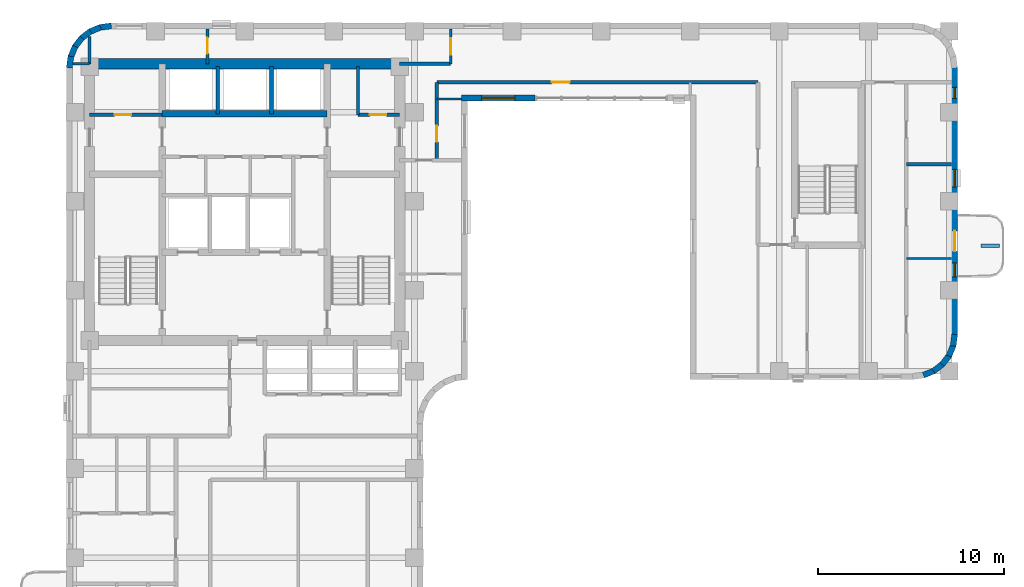
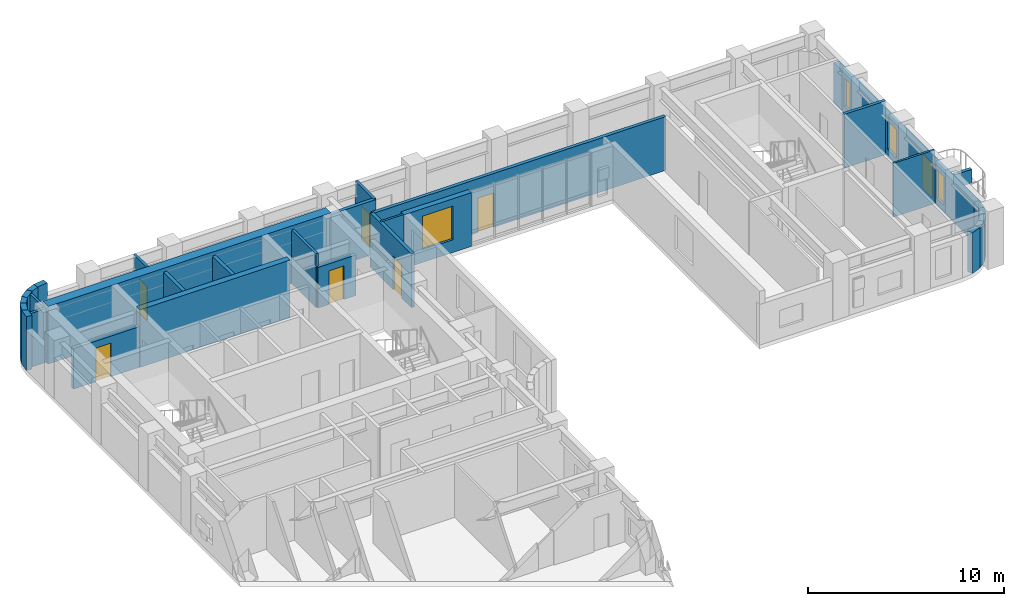
# One storey, part 7 of 11: 31 walls, 7 doors, 4 windows, 11 openings.
"""IFC4 building model written with IfcOpenShell, lengths in metres."""

import ifcopenshell
import ifcopenshell.guid

model = None  # the IFC model being written
_history = None  # IfcOwnerHistory: only IFC2X3 demands one
_inside = {}  # id of a spatial element -> (the spatial element, [elements in it])
_under = {}  # id of a project, library or spatial element -> (it, [spatial elements below it])
_declared = {}  # id of a project -> (the project, [libraries it declares])
_typed = {}  # id of a type object -> (the type object, [elements of that type])
_made_of = {}  # id of a material, layer set ... -> (it, [elements and type objects made of it])


def new_model(schema):
    """Start an empty IFC model of exactly this schema.

    Asked for "IFC4X3", IfcOpenShell would pick the latest addendum, in which some entities
    have other attributes; the version numbers below select the first issue.
    IFC2X3 requires an IfcOwnerHistory on every rooted entity: one is made here for all.
    """
    global model, _history
    if schema == "IFC4X3":
        model = ifcopenshell.file(schema_version=(4, 3, 0, 0))
    else:
        model = ifcopenshell.file(schema=schema)
    _inside.clear()
    _under.clear()
    _declared.clear()
    _typed.clear()
    _made_of.clear()
    _history = None
    if model.schema == "IFC2X3":
        org = make("IfcOrganization", Name="unknown")
        user = make(
            "IfcPersonAndOrganization",
            ThePerson=make("IfcPerson", FamilyName="unknown"),
            TheOrganization=org,
        )
        app = make(
            "IfcApplication",
            ApplicationDeveloper=org,
            Version="unknown",
            ApplicationFullName="unknown",
            ApplicationIdentifier="unknown",
        )
        _history = make(
            "IfcOwnerHistory",
            OwningUser=user,
            OwningApplication=app,
            ChangeAction="ADDED",
            CreationDate=0,
        )
    return model


def make(cls, **values):
    """One entity of the class cls with the attributes given. An attribute that is None is left unset."""
    return model.create_entity(
        cls, **{name: value for name, value in values.items() if value is not None}
    )


def rooted(cls, **values):
    """An entity with a GlobalId (a new one), such as an element, a storey or a relation."""
    return make(cls, GlobalId=ifcopenshell.guid.new(), OwnerHistory=_history, **values)


def si_unit(unit_type, name, prefix=None):
    """IfcSIUnit, for example si_unit("LENGTHUNIT", "METRE", prefix="MILLI")."""
    return make("IfcSIUnit", UnitType=unit_type, Prefix=prefix, Name=name)


def assignment(units):
    """IfcUnitAssignment: the units of a project."""
    return None if units is None else make("IfcUnitAssignment", Units=units)


def point(xyz):
    """IfcCartesianPoint."""
    return None if xyz is None else make("IfcCartesianPoint", Coordinates=xyz)


def direction(xyz):
    """IfcDirection."""
    return None if xyz is None else make("IfcDirection", DirectionRatios=xyz)


def frame(location, z_axis=None, x_axis=None):
    """IfcAxis2Placement3D, a coordinate frame: its origin and axes. An axis left out is left unset."""
    return make(
        "IfcAxis2Placement3D",
        Location=point(location),
        Axis=direction(z_axis),
        RefDirection=direction(x_axis),
    )


def frame_2d(location, x_axis=None):
    """IfcAxis2Placement2D, a coordinate frame in the plane: its origin and x axis."""
    return make(
        "IfcAxis2Placement2D", Location=point(location), RefDirection=direction(x_axis)
    )


def origin():
    """The frame at (0, 0, 0) with its axes left unset."""
    return frame((0.0, 0.0, 0.0))


def place(relative_to, where):
    """IfcLocalPlacement: puts the frame where relative to a parent placement (None: the world)."""
    return make(
        "IfcLocalPlacement", PlacementRelTo=relative_to, RelativePlacement=where
    )


def context(
    kind, dimensions, precision=None, world=None, true_north=None, identifier=None
):
    """IfcGeometricRepresentationContext, for example the 3D "Model" context."""
    return make(
        "IfcGeometricRepresentationContext",
        ContextIdentifier=identifier,
        ContextType=kind,
        CoordinateSpaceDimension=dimensions,
        Precision=precision,
        WorldCoordinateSystem=world,
        TrueNorth=true_north,
    )


def subcontext(parent, identifier, kind, view, scale=None):
    """IfcGeometricRepresentationSubContext, for example "Body" below "Model"."""
    return make(
        "IfcGeometricRepresentationSubContext",
        ContextIdentifier=identifier,
        ContextType=kind,
        ParentContext=parent,
        TargetScale=scale,
        TargetView=view,
    )


def project(units=None, contexts=None):
    """IfcProject with its units and contexts."""
    return rooted(
        "IfcProject",
        Name="project",
        RepresentationContexts=contexts,
        UnitsInContext=assignment(units),
    )


def spatial(cls, under=None, at=None, **own):
    """A site, building, storey or space (cls), placed at a placement, below another one or the project."""
    s = rooted(cls, ObjectPlacement=at, **own)
    if under is not None:
        _under.setdefault(under.id(), (under, []))[1].append(s)
    return s


def profile(cls, at=None, kind="AREA", **sizes):
    """A parametric profile (cls). Its sizes go by their IFC names, for example OverallWidth=200.0."""
    return make(cls, ProfileType=kind, Position=at, **sizes)


def rectangle(**sizes):
    """IfcRectangleProfileDef."""
    return profile("IfcRectangleProfileDef", **sizes)


def extrude(swept, where, along, depth):
    """IfcExtrudedAreaSolid: the profile swept, set in the frame where, extruded along a direction by depth."""
    return make(
        "IfcExtrudedAreaSolid",
        SweptArea=swept,
        Position=where,
        ExtrudedDirection=direction(along),
        Depth=depth,
    )


def shape(context_of_items, identifier, shape_type, items):
    """IfcShapeRepresentation: the items that make up one representation, for example the "Body"."""
    return make(
        "IfcShapeRepresentation",
        ContextOfItems=context_of_items,
        RepresentationIdentifier=identifier,
        RepresentationType=shape_type,
        Items=items,
    )


def material(Name=None, Category=None):
    """IfcMaterial."""
    return make("IfcMaterial", Name=Name, Category=Category)


def layer(
    of_material, thickness, ventilated=None, Name=None, Category=None, Priority=None
):
    """IfcMaterialLayer: one layer of a wall or slab, of a material (None: an air gap)."""
    return make(
        "IfcMaterialLayer",
        Material=of_material,
        LayerThickness=thickness,
        IsVentilated=ventilated,
        Name=Name,
        Category=Category,
        Priority=Priority,
    )


def layer_set(layers, Name=None):
    """IfcMaterialLayerSet."""
    return make("IfcMaterialLayerSet", MaterialLayers=layers, LayerSetName=Name)


def made_of(thing, what):
    """Note that an element or type object is made of a material, layer set ...; save() writes the relation."""
    if what is not None:
        _made_of.setdefault(what.id(), (what, []))[1].append(thing)
    return thing


def type_object(cls, material=None, **own):
    """A type object (cls), such as IfcWallType, which elements share."""
    return made_of(rooted(cls, **own), material)


def element(
    cls,
    number,
    at=None,
    inside=None,
    cuts=None,
    type_object=None,
    material=None,
    context=None,
    identifier="Body",
    shape_type=None,
    held_by="IfcProductDefinitionShape",
    body=None,
    shapes=None,
    **own,
):
    """One element of the class cls, such as IfcWall. Its Tag is "e" and its number.

    at: its placement. inside: the storey or other place that contains it. cuts: it is an
    opening in that element (IfcRelVoidsElement). A single representation is given by context,
    identifier, shape_type and body (its items); several are given by shapes. held_by: the class
    of the entity that holds the representations. save() writes the other relations.
    """
    e = rooted(cls, Tag="e%d" % number, ObjectPlacement=at, **own)
    if body is not None:
        shapes = [shape(context, identifier, shape_type, body)]
    if shapes is not None:
        e.Representation = make(held_by, Representations=shapes)
    if inside is not None:
        _inside.setdefault(inside.id(), (inside, []))[1].append(e)
    if cuts is not None:
        rooted(
            "IfcRelVoidsElement", RelatingBuildingElement=cuts, RelatedOpeningElement=e
        )
    if type_object is not None:
        _typed.setdefault(type_object.id(), (type_object, []))[1].append(e)
    return made_of(e, material)


def fill(opening, filler):
    """IfcRelFillsElement: the door or window that sits in an opening."""
    return rooted(
        "IfcRelFillsElement",
        RelatingOpeningElement=opening,
        RelatedBuildingElement=filler,
    )


def aggregate(whole, parts):
    """IfcRelAggregates: a whole, such as a stair, and the parts it consists of."""
    return rooted("IfcRelAggregates", RelatingObject=whole, RelatedObjects=parts)


def save(model, path):
    """Write the relations noted so far, then the file.

    IfcRelAggregates (storeys below a building ...), IfcRelContainedInSpatialStructure (elements
    in a storey), IfcRelDefinesByType, IfcRelAssociatesMaterial and IfcRelDeclares: one each for
    every whole, place, type object, material and project.
    """
    for whole, parts in _under.values():
        aggregate(whole, parts)
    for where, things in _inside.values():
        rooted(
            "IfcRelContainedInSpatialStructure",
            RelatedElements=things,
            RelatingStructure=where,
        )
    for kind, things in _typed.values():
        rooted("IfcRelDefinesByType", RelatedObjects=things, RelatingType=kind)
    for what, things in _made_of.values():
        rooted("IfcRelAssociatesMaterial", RelatedObjects=things, RelatingMaterial=what)
    for by, libraries in _declared.values():
        rooted("IfcRelDeclares", RelatingContext=by, RelatedDefinitions=libraries)
    model.write(path)


model = new_model("IFC4")

# Units and contexts
model_context = context("Model", 3, precision=1e-05, world=origin(), true_north=direction((0.0, 1.0)))
body_context = subcontext(model_context, "Body", "Model", "MODEL_VIEW")
ifc_project = project(units=[si_unit("LENGTHUNIT", "METRE"), si_unit("AREAUNIT", "SQUARE_METRE"), si_unit("VOLUMEUNIT", "CUBIC_METRE"), si_unit("PLANEANGLEUNIT", "RADIAN"), si_unit("MASSUNIT", "GRAM", prefix="KILO")], contexts=[model_context])

# Site, building, storey
site_placement = place(None, origin())
site = spatial("IfcSite", under=ifc_project, at=site_placement, CompositionType="ELEMENT")
building_placement = place(site_placement, origin())
building = spatial("IfcBuilding", under=site, at=building_placement, Name="Orvandelia Arch Residences", CompositionType="ELEMENT")
storey_placement = place(building_placement, frame((0.0, 0.0, 175.60009765625)))
storey = spatial("IfcBuildingStorey", under=building, at=storey_placement, Name="L46", CompositionType="ELEMENT", Elevation=175.60009765625)

# Walls
ifc_material_1 = material(Name="Concrete C50/60", Category="concrete")
ifc_layer_1 = layer(ifc_material_1, 0.35009765625, Name="Concrete C50/60", Category="concrete")
ifc_layer_set_1 = layer_set([ifc_layer_1], Name="Concrete C50/60")
wall_type_1 = type_object("IfcWallType", Name="WL-CORE-350", PredefinedType="SHEAR", material=ifc_layer_set_1)
wall_1_placement = place(storey_placement, frame((9.9599609375, 43.10009765625, 0.0), z_axis=(0.0, 0.0, 1.0), x_axis=(1.0, 0.0, 0.0)))
element("IfcWall", 1, at=wall_1_placement, inside=storey, type_object=wall_type_1, Name="Core Shear Wall L46-HZ4", PredefinedType="SHEAR", context=body_context, shape_type="SweptSolid", body=[
    extrude(rectangle(XDim=8.880126953125, YDim=0.35009765625, at=frame_2d((4.43994140625, 0.0))), origin(), (0.0, 0.0, 1.0), 3.599853515625),
])
ifc_material_2 = material(Name="Concrete C60/75", Category="concrete")
ifc_layer_2 = layer(ifc_material_2, 0.550048828125, Name="Concrete C60/75", Category="concrete")
ifc_layer_set_2 = layer_set([ifc_layer_2], Name="Concrete C60/75")
wall_type_2 = type_object("IfcWallType", Name="WL-CORE-550", PredefinedType="SHEAR", material=ifc_layer_set_2)
wall_2_placement = place(storey_placement, frame((6.050048828125, 45.800048828125, 0.0), z_axis=(0.0, 0.0, 1.0), x_axis=(1.0, 0.0, 0.0)))
element("IfcWall", 2, at=wall_2_placement, inside=storey, type_object=wall_type_2, Name="Core Shear Wall L46-N", PredefinedType="SHEAR", context=body_context, shape_type="SweptSolid", body=[
    extrude(rectangle(XDim=16.699951171875, YDim=0.550048828125, at=frame_2d((8.35009765625, 0.0))), origin(), (0.0, 0.0, 1.0), 3.599853515625),
])
ifc_material_3 = material(Name="Fire-Rated Corridor Partition")
ifc_layer_3 = layer(ifc_material_3, 0.199951171875, Name="Fire-Rated Corridor Partition")
ifc_layer_set_3 = layer_set([ifc_layer_3], Name="Fire-Rated Corridor Partition")
wall_type_3 = type_object("IfcWallType", Name="WL-CORR-200", PredefinedType="PARTITIONING", material=ifc_layer_set_3)
wall_3_placement = place(storey_placement, frame((22.75, 45.800048828125, 0.0), z_axis=(0.0, 0.0, 1.0), x_axis=(1.0, 0.0, 0.0)))
element("IfcWall", 3, at=wall_3_placement, inside=storey, type_object=wall_type_3, Name="Interior Partition Wall WL-L46-NCE-S", PredefinedType="PARTITIONING", context=body_context, shape_type="SweptSolid", body=[
    extrude(rectangle(XDim=2.75, YDim=0.199951171875, at=frame_2d((1.375, 0.0))), origin(), (0.0, 0.0, 1.0), 3.35986328125),
])

# Wall, opening, door
wall_4_placement = place(storey_placement, frame((24.75, 44.800048828125, 0.0), z_axis=(0.0, 0.0, 1.0), x_axis=(1.0, 0.0, 0.0)))
wall_4 = element("IfcWall", 4, at=wall_4_placement, inside=storey, type_object=wall_type_3, Name="Interior Partition Wall WL-L46-ENP-S1", PredefinedType="PARTITIONING", context=body_context, shape_type="SweptSolid", body=[
    extrude(rectangle(XDim=17.300048828125, YDim=0.199951171875, at=frame_2d((8.64990234375, 0.0))), origin(), (0.0, 0.0, 1.0), 3.35986328125),
])
opening_1_placement = place(wall_4_placement, frame((6.199951171875, 0.0, 0.0)))
opening_1 = element("IfcOpeningElement", 5, at=opening_1_placement, cuts=wall_4, Name="Opening D2", PredefinedType="OPENING", context=body_context, shape_type="SweptSolid", body=[
    extrude(rectangle(XDim=0.949951171875, YDim=2.14990234375, at=frame_2d((0.47509765625, 1.074951171875))), frame((0.0, 0.10986328125, 0.0), z_axis=(0.0, -1.0, 0.0), x_axis=(1.0, 0.0, 0.0)), (0.0, 0.0, 1.0), 0.219970703125),
])
ifc_material_4 = material(Name="Solid-Core Timber Interior Fire Door", Category="wood")
door_type_1 = type_object("IfcDoorType", Name="DR-APT-950", OperationType="NOTDEFINED", PredefinedType="DOOR", material=ifc_material_4)
door_1_placement = place(opening_1_placement, origin())
door_1 = element("IfcDoor", 6, at=door_1_placement, inside=storey, type_object=door_type_1, Name="DR-L46-VPBRG", OperationType="SINGLE_SWING_LEFT", OverallHeight=2.14990234375, OverallWidth=0.949951171875, PredefinedType="DOOR", context=body_context, shape_type="SweptSolid", body=[
    extrude(rectangle(XDim=0.949951171875, YDim=2.14990234375, at=frame_2d((0.47509765625, 1.074951171875))), frame((0.0, 0.02490234375, 0.0), z_axis=(0.0, -1.0, 0.0), x_axis=(1.0, 0.0, 0.0)), (0.0, 0.0, 1.0), 0.050048828125),
])
fill(opening_1, door_1)

wall_5_placement = place(storey_placement, frame((24.75, 40.60009765625, 0.0), z_axis=(0.0, 0.0, 1.0), x_axis=(0.0, 1.0, 0.0)))
wall_5 = element("IfcWall", 7, at=wall_5_placement, inside=storey, type_object=wall_type_3, Name="Interior Partition Wall WL-L46-ENP-LW", PredefinedType="PARTITIONING", context=body_context, shape_type="SweptSolid", body=[
    extrude(rectangle(XDim=4.199951171875, YDim=0.199951171875, at=frame_2d((2.10009765625, 0.0))), origin(), (0.0, 0.0, 1.0), 3.35986328125),
])
opening_2_placement = place(wall_5_placement, frame((1.0, 0.0, 0.0)))
opening_2 = element("IfcOpeningElement", 8, at=opening_2_placement, cuts=wall_5, Name="Opening D4", PredefinedType="OPENING", context=body_context, shape_type="SweptSolid", body=[
    extrude(rectangle(XDim=0.860107421875, YDim=2.10009765625, at=frame_2d((0.43017578125, 1.050048828125))), frame((0.0, 0.10986328125, 0.0), z_axis=(0.0, -1.0, 0.0), x_axis=(1.0, 0.0, 0.0)), (0.0, 0.0, 1.0), 0.219970703125),
])
ifc_material_5 = material(Name="Moisture-Sealed Timber Bathroom Door", Category="wood")
door_type_2 = type_object("IfcDoorType", Name="DR-WET-900", OperationType="NOTDEFINED", PredefinedType="DOOR", material=ifc_material_5)
door_2_placement = place(opening_2_placement, origin())
door_2 = element("IfcDoor", 9, at=door_2_placement, inside=storey, type_object=door_type_2, Name="DR-L46-VPWNK", OperationType="SINGLE_SWING_RIGHT", OverallHeight=2.10009765625, OverallWidth=0.860107421875, PredefinedType="DOOR", context=body_context, shape_type="SweptSolid", body=[
    extrude(rectangle(XDim=0.860107421875, YDim=2.10009765625, at=frame_2d((0.43017578125, 1.050048828125))), frame((0.0, 0.02490234375, 0.0), z_axis=(0.0, -1.0, 0.0), x_axis=(1.0, 0.0, 0.0)), (0.0, 0.0, 1.0), 0.050048828125),
])
fill(opening_2, door_2)

# Walls
ifc_material_6 = material(Name="Precast concrete C40/50", Category="concrete")
ifc_layer_4 = layer(ifc_material_6, 0.320068359375, Name="Precast concrete C40/50", Category="concrete")
ifc_layer_set_4 = layer_set([ifc_layer_4], Name="Precast concrete C40/50")
wall_type_4 = type_object("IfcWallType", Name="WL-EXT-STONE-320", PredefinedType="STANDARD", material=ifc_layer_set_4)
for number, where, z_axis, x_axis, name in (
    (10, (4.95849609375, 45.5791015625, 0.0), (0.0, 0.0, 1.0), (0.130555323746, 0.9914410257, 0.0), "Coral-Limestone Precast Facade Wall L46-001"),
    (11, (5.029541015625, 46.159912109375, 0.0), (0.0, 0.0, 1.0), (0.382650053678, 0.92389335771, 0.0), "Coral-Limestone Precast Facade Wall L46-002"),
):
    element("IfcWall", number, at=place(storey_placement, frame(where, z_axis=z_axis, x_axis=x_axis)), inside=storey, type_object=wall_type_4, Name=name, PredefinedType="STANDARD", context=body_context, shape_type="SweptSolid", body=[
        extrude(rectangle(XDim=0.62646484375, YDim=0.320068359375, at=frame_2d((0.313232421875, 0.0))), origin(), (0.0, 0.0, 1.0), 3.35986328125),
    ])
wall_6_placement = place(storey_placement, frame((5.248291015625, 46.70263671875, 0.0), z_axis=(0.0, 0.0, 1.0), x_axis=(0.608938521285, 0.7932174212, 0.0)))
element("IfcWall", 12, at=wall_6_placement, inside=storey, type_object=wall_type_4, Name="Coral-Limestone Precast Facade Wall L46-003", PredefinedType="STANDARD", context=body_context, shape_type="SweptSolid", body=[
    extrude(rectangle(XDim=0.626708984375, YDim=0.320068359375, at=frame_2d((0.3134765625, 0.0))), origin(), (0.0, 0.0, 1.0), 3.35986328125),
])
wall_7_placement = place(storey_placement, frame((5.600341796875, 47.170166015625, 0.0), z_axis=(0.0, 0.0, 1.0), x_axis=(0.793405610854, 0.608693302629, 0.0)))
element("IfcWall", 13, at=wall_7_placement, inside=storey, type_object=wall_type_4, Name="Coral-Limestone Precast Facade Wall L46-004", PredefinedType="STANDARD", context=body_context, shape_type="SweptSolid", body=[
    extrude(rectangle(XDim=0.62646484375, YDim=0.320068359375, at=frame_2d((0.313232421875, 0.0))), origin(), (0.0, 0.0, 1.0), 3.35986328125),
])
wall_8_placement = place(storey_placement, frame((6.061279296875, 47.53076171875, 0.0), z_axis=(0.0, 0.0, 1.0), x_axis=(0.923836271867, 0.382787856107, 0.0)))
element("IfcWall", 14, at=wall_8_placement, inside=storey, type_object=wall_type_4, Name="Coral-Limestone Precast Facade Wall L46-005", PredefinedType="STANDARD", context=body_context, shape_type="SweptSolid", body=[
    extrude(rectangle(XDim=0.626220703125, YDim=0.320068359375, at=frame_2d((0.31298828125, 0.0))), origin(), (0.0, 0.0, 1.0), 3.35986328125),
])
wall_9_placement = place(storey_placement, frame((6.599609375, 47.759521484375, 0.0), z_axis=(0.0, 0.0, 1.0), x_axis=(0.991447664465, 0.130504898859, 0.0)))
element("IfcWall", 15, at=wall_9_placement, inside=storey, type_object=wall_type_4, Name="Coral-Limestone Precast Facade Wall L46-006", PredefinedType="STANDARD", context=body_context, shape_type="SweptSolid", body=[
    extrude(rectangle(XDim=0.626708984375, YDim=0.320068359375, at=frame_2d((0.3134765625, 0.0))), origin(), (0.0, 0.0, 1.0), 3.35986328125),
])

# Wall, openings, door, windows
wall_10_placement = place(storey_placement, frame((52.639892578125, 45.60009765625, 0.0), z_axis=(0.0, 0.0, 1.0), x_axis=(0.0, -1.0, 0.0)))
wall_10 = element("IfcWall", 16, at=wall_10_placement, inside=storey, type_object=wall_type_4, Name="Coral-Limestone Precast Facade Wall L46-014", PredefinedType="STANDARD", context=body_context, shape_type="SweptSolid", body=[
    extrude(rectangle(XDim=14.400146484375, YDim=0.320068359375, at=frame_2d((7.2001953125, 0.0))), origin(), (0.0, 0.0, 1.0), 2.539794921875),
])
opening_3_placement = place(wall_10_placement, frame((8.800048828125, 0.0, 0.0)))
opening_3 = element("IfcOpeningElement", 17, at=opening_3_placement, cuts=wall_10, Name="Opening BD1", PredefinedType="OPENING", context=body_context, shape_type="SweptSolid", body=[
    extrude(rectangle(XDim=1.10009765625, YDim=2.14990234375, at=frame_2d((0.550048828125, 1.074951171875))), frame((0.0, 0.169921875, 0.0), z_axis=(0.0, -1.0, 0.0), x_axis=(1.0, 0.0, 0.0)), (0.0, 0.0, 1.0), 0.340087890625),
])
opening_4_placement = place(wall_10_placement, frame((10.51953125, 0.0, 0.449951171875)))
opening_4 = element("IfcOpeningElement", 18, at=opening_4_placement, cuts=wall_10, Name="Opening W11", PredefinedType="OPENING", context=body_context, shape_type="SweptSolid", body=[
    extrude(rectangle(XDim=0.75, YDim=1.800048828125, at=frame_2d((0.375, 0.89990234375))), frame((0.0, 0.169921875, 0.0), z_axis=(0.0, -1.0, 0.0), x_axis=(1.0, 0.0, 0.0)), (0.0, 0.0, 1.0), 0.340087890625),
])
opening_5_placement = place(wall_10_placement, frame((1.0625, 0.0, 0.449951171875)))
opening_5 = element("IfcOpeningElement", 19, at=opening_5_placement, cuts=wall_10, Name="Opening W12", PredefinedType="OPENING", context=body_context, shape_type="SweptSolid", body=[
    extrude(rectangle(XDim=0.60009765625, YDim=1.800048828125, at=frame_2d((0.300048828125, 0.89990234375))), frame((0.0, 0.169921875, 0.0), z_axis=(0.0, -1.0, 0.0), x_axis=(1.0, 0.0, 0.0)), (0.0, 0.0, 1.0), 0.340087890625),
])
opening_6_placement = place(wall_10_placement, frame((5.486083984375, 0.0, 0.449951171875)))
opening_6 = element("IfcOpeningElement", 20, at=opening_6_placement, cuts=wall_10, Name="Opening W4", PredefinedType="OPENING", context=body_context, shape_type="SweptSolid", body=[
    extrude(rectangle(XDim=0.949951171875, YDim=1.800048828125, at=frame_2d((0.47509765625, 0.89990234375))), frame((0.0, 0.169921875, 0.0), z_axis=(0.0, -1.0, 0.0), x_axis=(1.0, 0.0, 0.0)), (0.0, 0.0, 1.0), 0.340087890625),
])
ifc_material_7 = material(Name="Thermally Broken Aluminium Glazed Door", Category="aluminium")
door_type_3 = type_object("IfcDoorType", Name="DR-BAL-GLAZ-1100", OperationType="NOTDEFINED", PredefinedType="DOOR", material=ifc_material_7)
door_3_placement = place(opening_3_placement, origin())
door_3 = element("IfcDoor", 21, at=door_3_placement, inside=storey, type_object=door_type_3, Name="Tree Balcony Glazed Door BAL-L46-E1", OperationType="SINGLE_SWING_LEFT", OverallHeight=2.14990234375, OverallWidth=1.10009765625, PredefinedType="DOOR", context=body_context, shape_type="SweptSolid", body=[
    extrude(rectangle(XDim=1.10009765625, YDim=2.14990234375, at=frame_2d((0.550048828125, 1.074951171875))), frame((0.0, 0.02490234375, 0.0), z_axis=(0.0, -1.0, 0.0), x_axis=(1.0, 0.0, 0.0)), (0.0, 0.0, 1.0), 0.050048828125),
])
fill(opening_3, door_3)
ifc_material_8 = material(Name="Tempered Low-E Insulated Glazing", Category="glass")
window_type_1 = type_object("IfcWindowType", Name="WIN-BED-0750x1800", PartitioningType="SINGLE_PANEL", PredefinedType="WINDOW", material=ifc_material_8)
window_1_placement = place(opening_4_placement, origin())
window_1 = element("IfcWindow", 22, at=window_1_placement, inside=storey, type_object=window_type_1, Name="Recessed Punched Window L46-004", OverallHeight=1.800048828125, OverallWidth=0.75, PartitioningType="SINGLE_PANEL", PredefinedType="WINDOW", context=body_context, shape_type="SweptSolid", body=[
    extrude(rectangle(XDim=0.75, YDim=1.800048828125, at=frame_2d((0.375, 0.89990234375))), frame((0.0, 0.030029296875, 0.0), z_axis=(0.0, -1.0, 0.0), x_axis=(1.0, 0.0, 0.0)), (0.0, 0.0, 1.0), 0.06005859375),
])
fill(opening_4, window_1)
window_type_2 = type_object("IfcWindowType", Name="WIN-LAN-0600x1800", PartitioningType="SINGLE_PANEL", PredefinedType="WINDOW", material=ifc_material_8)
window_2_placement = place(opening_5_placement, origin())
window_2 = element("IfcWindow", 23, at=window_2_placement, inside=storey, type_object=window_type_2, Name="Recessed Punched Window L46-005", OverallHeight=1.800048828125, OverallWidth=0.60009765625, PartitioningType="SINGLE_PANEL", PredefinedType="WINDOW", context=body_context, shape_type="SweptSolid", body=[
    extrude(rectangle(XDim=0.60009765625, YDim=1.800048828125, at=frame_2d((0.300048828125, 0.89990234375))), frame((0.0, 0.030029296875, 0.0), z_axis=(0.0, -1.0, 0.0), x_axis=(1.0, 0.0, 0.0)), (0.0, 0.0, 1.0), 0.06005859375),
])
fill(opening_5, window_2)
window_type_3 = type_object("IfcWindowType", Name="WIN-RES-0950x1800", PartitioningType="SINGLE_PANEL", PredefinedType="WINDOW", material=ifc_material_8)
window_3_placement = place(opening_6_placement, origin())
window_3 = element("IfcWindow", 24, at=window_3_placement, inside=storey, type_object=window_type_3, Name="Recessed Punched Window L46-006", OverallHeight=1.800048828125, OverallWidth=0.949951171875, PartitioningType="SINGLE_PANEL", PredefinedType="WINDOW", context=body_context, shape_type="SweptSolid", body=[
    extrude(rectangle(XDim=0.949951171875, YDim=1.800048828125, at=frame_2d((0.47509765625, 0.89990234375))), frame((0.0, 0.030029296875, 0.0), z_axis=(0.0, -1.0, 0.0), x_axis=(1.0, 0.0, 0.0)), (0.0, 0.0, 1.0), 0.06005859375),
])
fill(opening_6, window_3)

# Walls
wall_11_placement = place(storey_placement, frame((52.641357421875, 31.220947265625, 0.0), z_axis=(0.0, 0.0, 1.0), x_axis=(-0.130504898859, -0.991447664465, 0.0)))
element("IfcWall", 25, at=wall_11_placement, inside=storey, type_object=wall_type_4, Name="Coral-Limestone Precast Facade Wall L46-015", PredefinedType="STANDARD", context=body_context, shape_type="SweptSolid", body=[
    extrude(rectangle(XDim=0.626708984375, YDim=0.320068359375, at=frame_2d((0.3134765625, 0.0))), origin(), (0.0, 0.0, 1.0), 2.539794921875),
])
wall_12_placement = place(storey_placement, frame((52.5703125, 30.639892578125, 0.0), z_axis=(0.0, 0.0, 1.0), x_axis=(-0.382455093999, -0.923974080304, 0.0)))
element("IfcWall", 26, at=wall_12_placement, inside=storey, type_object=wall_type_4, Name="Coral-Limestone Precast Facade Wall L46-016", PredefinedType="STANDARD", context=body_context, shape_type="SweptSolid", body=[
    extrude(rectangle(XDim=0.626220703125, YDim=0.320068359375, at=frame_2d((0.31298828125, 0.0))), origin(), (0.0, 0.0, 1.0), 2.539794921875),
])
wall_13_placement = place(storey_placement, frame((52.3515625, 30.097412109375, 0.0), z_axis=(0.0, 0.0, 1.0), x_axis=(-0.608693302629, -0.793405610854, 0.0)))
element("IfcWall", 27, at=wall_13_placement, inside=storey, type_object=wall_type_4, Name="Coral-Limestone Precast Facade Wall L46-017", PredefinedType="STANDARD", context=body_context, shape_type="SweptSolid", body=[
    extrude(rectangle(XDim=0.62646484375, YDim=0.320068359375, at=frame_2d((0.313232421875, 0.0))), origin(), (0.0, 0.0, 1.0), 2.539794921875),
])
wall_14_placement = place(storey_placement, frame((51.999755859375, 29.6298828125, 0.0), z_axis=(0.0, 0.0, 1.0), x_axis=(-0.7932174212, -0.608938521285, 0.0)))
element("IfcWall", 28, at=wall_14_placement, inside=storey, type_object=wall_type_4, Name="Coral-Limestone Precast Facade Wall L46-018", PredefinedType="STANDARD", context=body_context, shape_type="SweptSolid", body=[
    extrude(rectangle(XDim=0.626708984375, YDim=0.320068359375, at=frame_2d((0.3134765625, 0.0))), origin(), (0.0, 0.0, 1.0), 2.539794921875),
])
wall_15_placement = place(storey_placement, frame((51.538818359375, 29.269287109375, 0.0), z_axis=(0.0, 0.0, 1.0), x_axis=(-0.92389335771, -0.382650053678, 0.0)))
element("IfcWall", 29, at=wall_15_placement, inside=storey, type_object=wall_type_4, Name="Coral-Limestone Precast Facade Wall L46-019", PredefinedType="STANDARD", context=body_context, shape_type="SweptSolid", body=[
    extrude(rectangle(XDim=0.62646484375, YDim=0.320068359375, at=frame_2d((0.313232421875, 0.0))), origin(), (0.0, 0.0, 1.0), 2.539794921875),
])

# Wall, opening, window
wall_16_placement = place(storey_placement, frame((30.0400390625, 43.9599609375, 0.0), z_axis=(0.0, 0.0, 1.0), x_axis=(-1.0, 0.0, 0.0)))
wall_16 = element("IfcWall", 30, at=wall_16_placement, inside=storey, type_object=wall_type_4, Name="Coral-Limestone Precast Facade Wall L46-024", PredefinedType="STANDARD", context=body_context, shape_type="SweptSolid", body=[
    extrude(rectangle(XDim=3.9599609375, YDim=0.320068359375, at=frame_2d((1.97998046875, 0.0))), origin(), (0.0, 0.0, 1.0), 3.35986328125),
])
opening_7_placement = place(wall_16_placement, frame((1.080078125, 0.0, 0.800048828125)))
opening_7 = element("IfcOpeningElement", 31, at=opening_7_placement, cuts=wall_16, Name="Opening W1", PredefinedType="OPENING", context=body_context, shape_type="SweptSolid", body=[
    extrude(rectangle(XDim=1.800048828125, YDim=2.10009765625, at=frame_2d((0.89990234375, 1.050048828125))), frame((0.0, 0.169921875, 0.0), z_axis=(0.0, -1.0, 0.0), x_axis=(1.0, 0.0, 0.0)), (0.0, 0.0, 1.0), 0.340087890625),
])
window_type_4 = type_object("IfcWindowType", Name="WIN-RES-1800x2100", PartitioningType="SINGLE_PANEL", PredefinedType="WINDOW", material=ifc_material_8)
window_4_placement = place(opening_7_placement, origin())
window_4 = element("IfcWindow", 32, at=window_4_placement, inside=storey, type_object=window_type_4, Name="Recessed Punched Window L46-013", OverallHeight=2.10009765625, OverallWidth=1.800048828125, PartitioningType="SINGLE_PANEL", PredefinedType="WINDOW", context=body_context, shape_type="SweptSolid", body=[
    extrude(rectangle(XDim=1.800048828125, YDim=2.10009765625, at=frame_2d((0.89990234375, 1.050048828125))), frame((0.0, 0.030029296875, 0.0), z_axis=(0.0, -1.0, 0.0), x_axis=(1.0, 0.0, 0.0)), (0.0, 0.0, 1.0), 0.06005859375),
])
fill(opening_7, window_4)

# Walls
ifc_material_9 = material(Name="Lightweight Gypsum Stud Partition")
ifc_layer_5 = layer(ifc_material_9, 0.1201171875, Name="Lightweight Gypsum Stud Partition")
ifc_layer_set_5 = layer_set([ifc_layer_5], Name="Lightweight Gypsum Stud Partition")
wall_type_5 = type_object("IfcWallType", Name="WL-PART-120", PredefinedType="PARTITIONING", material=ifc_layer_set_5)
wall_17_placement = place(storey_placement, frame((24.75, 43.89990234375, 0.0), z_axis=(0.0, 0.0, 1.0), x_axis=(1.0, 0.0, 0.0)))
element("IfcWall", 33, at=wall_17_placement, inside=storey, type_object=wall_type_5, Name="Interior Partition Wall WL-L46-VPWNK-N", PredefinedType="PARTITIONING", context=body_context, shape_type="SweptSolid", body=[
    extrude(rectangle(XDim=1.330078125, YDim=0.1201171875, at=frame_2d((0.6650390625, 0.0))), origin(), (0.0, 0.0, 1.0), 3.35986328125),
])
wall_18_placement = place(storey_placement, frame((50.04296875, 35.31591796875, 0.0), z_axis=(0.0, 0.0, 1.0), x_axis=(1.0, 0.0, 0.0)))
element("IfcWall", 34, at=wall_18_placement, inside=storey, type_object=wall_type_5, Name="Interior Partition Wall WL-L46-U05-H1", PredefinedType="PARTITIONING", context=body_context, shape_type="SweptSolid", body=[
    extrude(rectangle(XDim=2.43701171875, YDim=0.1201171875, at=frame_2d((1.218505859375, 0.0))), origin(), (0.0, 0.0, 1.0), 3.35986328125),
])
ifc_material_10 = material(Name="Acoustic Gypsum Stud Partition")
ifc_layer_6 = layer(ifc_material_10, 0.14990234375, Name="Acoustic Gypsum Stud Partition")
ifc_layer_set_6 = layer_set([ifc_layer_6], Name="Acoustic Gypsum Stud Partition")
wall_type_6 = type_object("IfcWallType", Name="WL-PART-150", PredefinedType="PARTITIONING", material=ifc_layer_set_6)
wall_19_placement = place(storey_placement, frame((20.5, 43.050048828125, 0.0), z_axis=(0.0, 0.0, 1.0), x_axis=(0.0, 1.0, 0.0)))
element("IfcWall", 35, at=wall_19_placement, inside=storey, type_object=wall_type_6, Name="Interior Partition Wall WL-L46-CSB-2W", PredefinedType="PARTITIONING", context=body_context, shape_type="SweptSolid", body=[
    extrude(rectangle(XDim=2.599853515625, YDim=0.14990234375, at=frame_2d((1.2998046875, 0.0))), origin(), (0.0, 0.0, 1.0), 3.35986328125),
])
wall_20_placement = place(storey_placement, frame((5.159912109375, 45.800048828125, 0.0), z_axis=(0.0, 0.0, 1.0), x_axis=(1.0, 0.0, 0.0)))
element("IfcWall", 36, at=wall_20_placement, inside=storey, type_object=wall_type_6, Name="Interior Partition Wall WL-L46-WF-N", PredefinedType="PARTITIONING", context=body_context, shape_type="SweptSolid", body=[
    extrude(rectangle(XDim=0.89013671875, YDim=0.14990234375, at=frame_2d((0.445068359375, 0.0))), origin(), (0.0, 0.0, 1.0), 3.35986328125),
])

# Wall, opening, door
wall_21_placement = place(storey_placement, frame((25.5, 45.800048828125, 0.0), z_axis=(0.0, 0.0, 1.0), x_axis=(0.0, 1.0, 0.0)))
wall_21 = element("IfcWall", 37, at=wall_21_placement, inside=storey, type_object=wall_type_6, Name="Interior Partition Wall WL-L46-NCE-W", PredefinedType="PARTITIONING", context=body_context, shape_type="SweptSolid", body=[
    extrude(rectangle(XDim=1.8798828125, YDim=0.14990234375, at=frame_2d((0.93994140625, 0.0))), origin(), (0.0, 0.0, 1.0), 3.35986328125),
])
opening_8_placement = place(wall_21_placement, frame((0.5, 0.0, 0.0)))
opening_8 = element("IfcOpeningElement", 38, at=opening_8_placement, cuts=wall_21, Name="Opening D5", PredefinedType="OPENING", context=body_context, shape_type="SweptSolid", body=[
    extrude(rectangle(XDim=0.8798828125, YDim=2.10009765625, at=frame_2d((0.43994140625, 1.050048828125))), frame((0.0, 0.0849609375, 0.0), z_axis=(0.0, -1.0, 0.0), x_axis=(1.0, 0.0, 0.0)), (0.0, 0.0, 1.0), 0.169921875),
])
ifc_material_11 = material(Name="Painted Galvanised Steel Service Door", Category="steel")
door_type_4 = type_object("IfcDoorType", Name="DR-SRV-880", OperationType="NOTDEFINED", PredefinedType="DOOR", material=ifc_material_11)
door_4_placement = place(opening_8_placement, origin())
door_4 = element("IfcDoor", 39, at=door_4_placement, inside=storey, type_object=door_type_4, Name="DR-L46-NCS2", OperationType="SINGLE_SWING_LEFT", OverallHeight=2.10009765625, OverallWidth=0.8798828125, PredefinedType="DOOR", context=body_context, shape_type="SweptSolid", body=[
    extrude(rectangle(XDim=0.8798828125, YDim=2.10009765625, at=frame_2d((0.43994140625, 1.050048828125))), frame((0.0, 0.02490234375, 0.0), z_axis=(0.0, -1.0, 0.0), x_axis=(1.0, 0.0, 0.0)), (0.0, 0.0, 1.0), 0.050048828125),
])
fill(opening_8, door_4)

# Wall
wall_22_placement = place(storey_placement, frame((6.050048828125, 45.800048828125, 0.0), z_axis=(0.0, 0.0, 1.0), x_axis=(0.0, 1.0, 0.0)))
element("IfcWall", 40, at=wall_22_placement, inside=storey, type_object=wall_type_6, Name="Interior Partition Wall WL-L46-NC-W6", PredefinedType="PARTITIONING", context=body_context, shape_type="SweptSolid", body=[
    extrude(rectangle(XDim=1.4599609375, YDim=0.14990234375, at=frame_2d((0.72998046875, 0.0))), origin(), (0.0, 0.0, 1.0), 3.35986328125),
])

# Wall, opening, door
wall_23_placement = place(storey_placement, frame((12.39990234375, 45.800048828125, 0.0), z_axis=(0.0, 0.0, 1.0), x_axis=(0.0, 1.0, 0.0)))
wall_23 = element("IfcWall", 41, at=wall_23_placement, inside=storey, type_object=wall_type_6, Name="Interior Partition Wall WL-L46-NC-M", PredefinedType="PARTITIONING", context=body_context, shape_type="SweptSolid", body=[
    extrude(rectangle(XDim=1.8798828125, YDim=0.14990234375, at=frame_2d((0.93994140625, 0.0))), origin(), (0.0, 0.0, 1.0), 3.35986328125),
])
opening_9_placement = place(wall_23_placement, frame((0.550048828125, 0.0, 0.0)))
opening_9 = element("IfcOpeningElement", 42, at=opening_9_placement, cuts=wall_23, Name="Opening D4", PredefinedType="OPENING", context=body_context, shape_type="SweptSolid", body=[
    extrude(rectangle(XDim=0.860107421875, YDim=2.10009765625, at=frame_2d((0.43017578125, 1.050048828125))), frame((0.0, 0.0849609375, 0.0), z_axis=(0.0, -1.0, 0.0), x_axis=(1.0, 0.0, 0.0)), (0.0, 0.0, 1.0), 0.169921875),
])
door_5_placement = place(opening_9_placement, origin())
door_5 = element("IfcDoor", 43, at=door_5_placement, inside=storey, type_object=door_type_2, Name="DR-L46-NCS1", OperationType="SINGLE_SWING_LEFT", OverallHeight=2.10009765625, OverallWidth=0.860107421875, PredefinedType="DOOR", context=body_context, shape_type="SweptSolid", body=[
    extrude(rectangle(XDim=0.860107421875, YDim=2.10009765625, at=frame_2d((0.43017578125, 1.050048828125))), frame((0.0, 0.02490234375, 0.0), z_axis=(0.0, -1.0, 0.0), x_axis=(1.0, 0.0, 0.0)), (0.0, 0.0, 1.0), 0.050048828125),
])
fill(opening_9, door_5)

# Wall
ifc_layer_7 = layer(ifc_material_6, 0.199951171875, Name="Precast concrete C40/50", Category="concrete")
ifc_layer_set_7 = layer_set([ifc_layer_7], Name="Precast concrete C40/50")
wall_type_7 = type_object("IfcWallType", Name="WL-PLANTER-200", PredefinedType="MOVABLE", material=ifc_layer_set_7)
wall_24_placement = place(storey_placement, frame((54.050048828125, 36.0, 0.0), z_axis=(0.0, 0.0, 1.0), x_axis=(1.0, 0.0, 0.0)))
element("IfcWall", 44, at=wall_24_placement, inside=storey, type_object=wall_type_7, Name="Balcony Precast Tree Planter BAL-L46-E1", PredefinedType="MOVABLE", context=body_context, shape_type="SweptSolid", body=[
    extrude(rectangle(XDim=1.0, YDim=0.199951171875, at=frame_2d((0.5, 0.0))), origin(), (0.0, 0.0, 1.0), 0.849853515625),
])

# Wall, opening, door
ifc_material_12 = material(Name="Fire-Rated Shaft Enclosure Wall")
ifc_layer_8 = layer(ifc_material_12, 0.199951171875, Name="Fire-Rated Shaft Enclosure Wall")
ifc_layer_set_8 = layer_set([ifc_layer_8], Name="Fire-Rated Shaft Enclosure Wall")
wall_type_8 = type_object("IfcWallType", Name="WL-SHAFT-200", PredefinedType="POLYGONAL", material=ifc_layer_set_8)
wall_25_placement = place(storey_placement, frame((20.5, 43.050048828125, 0.0), z_axis=(0.0, 0.0, 1.0), x_axis=(1.0, 0.0, 0.0)))
wall_25 = element("IfcWall", 45, at=wall_25_placement, inside=storey, type_object=wall_type_8, Name="Interior Partition Wall WL-L46-HLE-N", PredefinedType="POLYGONAL", context=body_context, shape_type="SweptSolid", body=[
    extrude(rectangle(XDim=2.25, YDim=0.199951171875, at=frame_2d((1.125, 0.0))), origin(), (0.0, 0.0, 1.0), 2.539794921875),
])
opening_10_placement = place(wall_25_placement, frame((0.64990234375, 0.0, 0.0)))
opening_10 = element("IfcOpeningElement", 46, at=opening_10_placement, cuts=wall_25, Name="Opening D5", PredefinedType="OPENING", context=body_context, shape_type="SweptSolid", body=[
    extrude(rectangle(XDim=0.8798828125, YDim=2.10009765625, at=frame_2d((0.43994140625, 1.050048828125))), frame((0.0, 0.10986328125, 0.0), z_axis=(0.0, -1.0, 0.0), x_axis=(1.0, 0.0, 0.0)), (0.0, 0.0, 1.0), 0.219970703125),
])
door_6_placement = place(opening_10_placement, origin())
door_6 = element("IfcDoor", 47, at=door_6_placement, inside=storey, type_object=door_type_4, Name="DR-L46-CSB1", OperationType="SINGLE_SWING_RIGHT", OverallHeight=2.10009765625, OverallWidth=0.8798828125, PredefinedType="DOOR", context=body_context, shape_type="SweptSolid", body=[
    extrude(rectangle(XDim=0.8798828125, YDim=2.10009765625, at=frame_2d((0.43994140625, 1.050048828125))), frame((0.0, 0.02490234375, 0.0), z_axis=(0.0, -1.0, 0.0), x_axis=(1.0, 0.0, 0.0)), (0.0, 0.0, 1.0), 0.050048828125),
])
fill(opening_10, door_6)

wall_26_placement = place(storey_placement, frame((6.050048828125, 43.050048828125, 0.0), z_axis=(0.0, 0.0, 1.0), x_axis=(1.0, 0.0, 0.0)))
wall_26 = element("IfcWall", 48, at=wall_26_placement, inside=storey, type_object=wall_type_8, Name="Interior Partition Wall WL-L46-HLW-N", PredefinedType="POLYGONAL", context=body_context, shape_type="SweptSolid", body=[
    extrude(rectangle(XDim=3.909912109375, YDim=0.199951171875, at=frame_2d((1.955078125, 0.0))), origin(), (0.0, 0.0, 1.0), 2.539794921875),
])
opening_11_placement = place(wall_26_placement, frame((1.35009765625, 0.0, 0.0)))
opening_11 = element("IfcOpeningElement", 49, at=opening_11_placement, cuts=wall_26, Name="Opening D5", PredefinedType="OPENING", context=body_context, shape_type="SweptSolid", body=[
    extrude(rectangle(XDim=0.8798828125, YDim=2.10009765625, at=frame_2d((0.43994140625, 1.050048828125))), frame((0.0, 0.10986328125, 0.0), z_axis=(0.0, -1.0, 0.0), x_axis=(1.0, 0.0, 0.0)), (0.0, 0.0, 1.0), 0.219970703125),
])
door_7_placement = place(opening_11_placement, origin())
door_7 = element("IfcDoor", 50, at=door_7_placement, inside=storey, type_object=door_type_4, Name="Riser Service Door L46", OperationType="SINGLE_SWING_RIGHT", OverallHeight=2.10009765625, OverallWidth=0.8798828125, PredefinedType="DOOR", context=body_context, shape_type="SweptSolid", body=[
    extrude(rectangle(XDim=0.8798828125, YDim=2.10009765625, at=frame_2d((0.43994140625, 1.050048828125))), frame((0.0, 0.02490234375, 0.0), z_axis=(0.0, -1.0, 0.0), x_axis=(1.0, 0.0, 0.0)), (0.0, 0.0, 1.0), 0.050048828125),
])
fill(opening_11, door_7)

# Walls
for number, where, z_axis, x_axis, name in (
    (51, (12.949951171875, 43.10009765625, 0.0), (0.0, 0.0, 1.0), (0.0, 1.0, 0.0), "Interior Partition Wall WL-L46-PHD1"),
    (52, (15.85009765625, 43.10009765625, 0.0), (0.0, 0.0, 1.0), (0.0, 1.0, 0.0), "Interior Partition Wall WL-L46-PHD2"),
):
    element("IfcWall", number, at=place(storey_placement, frame(where, z_axis=z_axis, x_axis=x_axis)), inside=storey, type_object=wall_type_8, Name=name, PredefinedType="POLYGONAL", context=body_context, shape_type="SweptSolid", body=[
        extrude(rectangle(XDim=2.5498046875, YDim=0.199951171875, at=frame_2d((1.27490234375, 0.0))), origin(), (0.0, 0.0, 1.0), 3.35986328125),
    ])
ifc_material_13 = material(Name="Moisture-Resistant Plumbing Wall")
ifc_layer_9 = layer(ifc_material_13, 0.179931640625, Name="Moisture-Resistant Plumbing Wall")
ifc_layer_set_9 = layer_set([ifc_layer_9], Name="Moisture-Resistant Plumbing Wall")
wall_type_9 = type_object("IfcWallType", Name="WL-WET-180", PredefinedType="PLUMBINGWALL", material=ifc_layer_set_9)
wall_27_placement = place(storey_placement, frame((50.04296875, 40.383056640625, 0.0), z_axis=(0.0, 0.0, 1.0), x_axis=(1.0, 0.0, 0.0)))
element("IfcWall", 53, at=wall_27_placement, inside=storey, type_object=wall_type_9, Name="Interior Partition Wall WL-L46-U05-H2", PredefinedType="PLUMBINGWALL", context=body_context, shape_type="SweptSolid", body=[
    extrude(rectangle(XDim=2.43701171875, YDim=0.179931640625, at=frame_2d((1.218505859375, 0.0))), origin(), (0.0, 0.0, 1.0), 3.35986328125),
])

save(model, "model.ifc")
